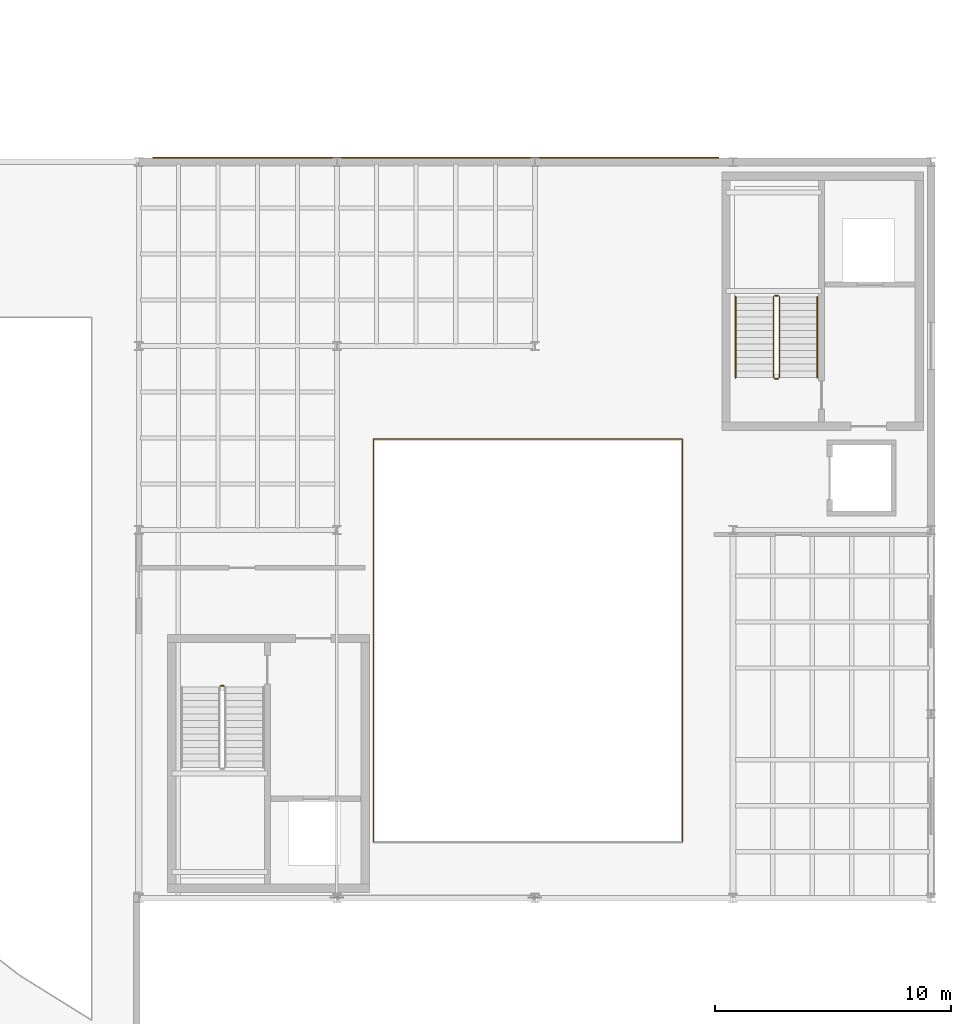
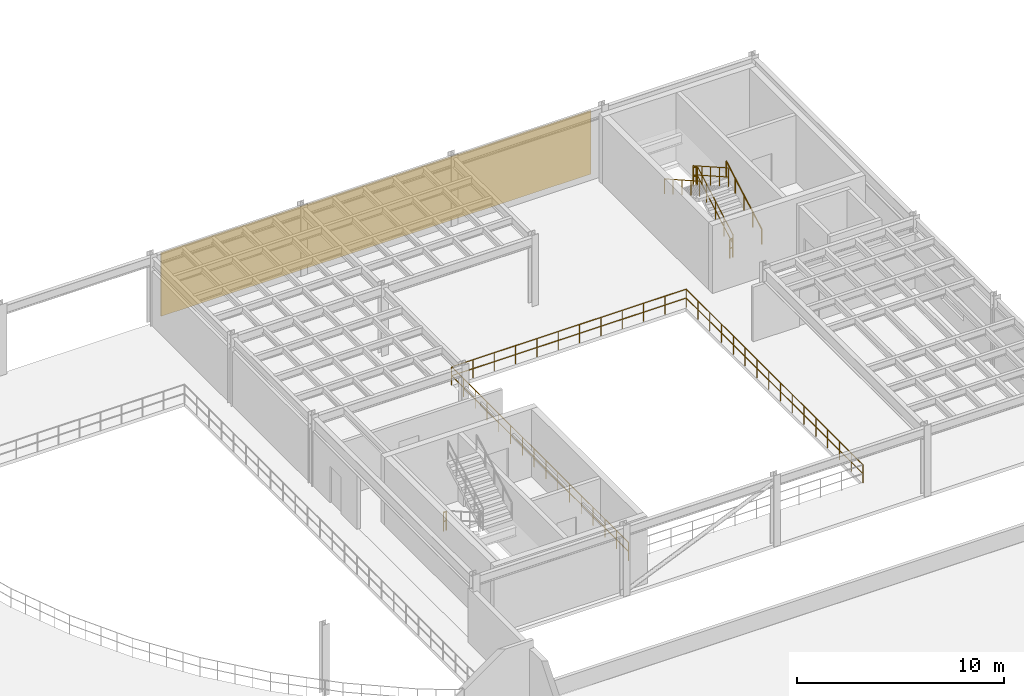
# One storey, part 51 of 54: 10 railings, 1 covering.
"""IFC4 building model written with IfcOpenShell, lengths in metres."""

from ifc_helpers import new_model, si_unit, direction, frame, origin, origin_2d, place, context, subcontext, project, spatial, polyline, circle, outline, extrude, material, layer, layer_set, type_object, element, save


model = new_model("IFC4")

# Units and contexts
model_context = context("Model", 3, precision=1e-05, world=origin(), true_north=direction((0.0, 1.0)))
body_context = subcontext(model_context, "Body", "Model", "MODEL_VIEW")
ifc_project = project(units=[si_unit("LENGTHUNIT", "METRE"), si_unit("AREAUNIT", "SQUARE_METRE"), si_unit("VOLUMEUNIT", "CUBIC_METRE"), si_unit("PLANEANGLEUNIT", "RADIAN"), si_unit("MASSUNIT", "GRAM", prefix="KILO")], contexts=[model_context])

# Site, building, storey
site_placement = place(None, origin())
site = spatial("IfcSite", under=ifc_project, at=site_placement, CompositionType="ELEMENT")
building_placement = place(site_placement, origin())
building = spatial("IfcBuilding", under=site, at=building_placement, Name="Selat Folded Stagehouse", CompositionType="ELEMENT")
storey_placement = place(building_placement, frame((0.0, 0.0, 15.0)))
storey = spatial("IfcBuildingStorey", under=building, at=storey_placement, Name="L03", CompositionType="ELEMENT", Elevation=15.0)

# Covering
ifc_material_1 = material(Name="Perforated bronze-anodised aluminium rainscreen", Category="aluminium")
ifc_layer_1 = layer(ifc_material_1, 0.044921875)
ifc_layer_set_1 = layer_set([ifc_layer_1], Name="Perforated bronze-anodised aluminium rainscreen")
covering_type = type_object("IfcCoveringType", Name="COV-CLAD-45B", PredefinedType="CLADDING", material=ifc_layer_set_1)
covering_placement = place(storey_placement, frame((0.0, 0.0, 0.10009765625)))
element("IfcCovering", 1, at=covering_placement, inside=storey, type_object=covering_type, Name="L03 fly-tower bronze rainscreen cladding 03", PredefinedType="CLADDING", context=body_context, shape_type="SweptSolid", body=[
    extrude(outline(polyline([(34.199951171875, 54.762451171875), (58.199951171875, 54.762451171875), (58.199951171875, 54.8076171875), (34.199951171875, 54.8076171875), (34.199951171875, 54.762451171875)])), origin(), (0.0, 0.0, 1.0), 3.75),
])

# Railings
ifc_material_2 = material(Name="Bronze-anodised steel balustrade", Category="steel")
ifc_layer_2 = layer(ifc_material_2, 0.06494140625)
ifc_layer_set_2 = layer_set([ifc_layer_2], Name="Bronze-anodised steel balustrade")
railing_type_1 = type_object("IfcRailingType", Name="RLG-BAL-1120", PredefinedType="BALUSTRADE", material=ifc_layer_set_2)
railing_1_placement = place(storey_placement, frame((37.06005859375, 32.389892578125, 0.0)))
element("IfcRailing", 2, at=railing_1_placement, inside=storey, type_object=railing_type_1, Name="L03 ST-01 stair well guard 4", PredefinedType="BALUSTRADE", context=body_context, shape_type="SweptSolid", body=[
    extrude(circle(Radius=0.02392578125, at=origin_2d()), frame((0.0, 0.0, 1.09619140625), z_axis=(1.0, 0.0, 0.0), x_axis=(0.0, 1.0, 0.0)), (0.0, 0.0, 1.0), 0.159912109375),
    extrude(circle(Radius=0.02392578125, at=origin_2d()), frame((0.0, 0.0, 0.56005859375), z_axis=(1.0, 0.0, 0.0), x_axis=(0.0, 1.0, 0.0)), (0.0, 0.0, 1.0), 0.159912109375),
    extrude(circle(Radius=0.02099609375, at=origin_2d()), origin(), (0.0, 0.0, 1.0), 1.072021484375),
    extrude(circle(Radius=0.02099609375, at=origin_2d()), frame((0.159912109375, 0.0, 0.0)), (0.0, 0.0, 1.0), 1.072021484375),
])
railing_2_placement = place(storey_placement, frame((60.77001953125, 45.4599609375, 0.16162109375)))
element("IfcRailing", 3, at=railing_2_placement, inside=storey, type_object=railing_type_1, Name="L03 ST-02 stair well guard 1", PredefinedType="BALUSTRADE", context=body_context, shape_type="SweptSolid", body=[
    extrude(circle(Radius=0.02392578125, at=origin_2d()), frame((0.0, 0.0, 1.09619140625), z_axis=(0.0, 0.869965350696, 0.493112855834), x_axis=(-1.0, 0.0, 0.0)), (0.0, 0.0, 1.0), 3.93115234375),
    extrude(circle(Radius=0.02392578125, at=origin_2d()), frame((0.0, 0.0, 0.56005859375), z_axis=(0.0, 0.869965350696, 0.493112855834), x_axis=(-1.0, 0.0, 0.0)), (0.0, 0.0, 1.0), 3.93115234375),
    extrude(circle(Radius=0.02099609375, at=origin_2d()), origin(), (0.0, 0.0, 1.0), 1.072021484375),
    extrude(circle(Radius=0.02099609375, at=origin_2d()), frame((0.0, 0.85498046875, 0.484619140625)), (0.0, 0.0, 1.0), 1.072021484375),
    extrude(circle(Radius=0.02099609375, at=origin_2d()), frame((0.0, 1.7099609375, 0.96923828125)), (0.0, 0.0, 1.0), 1.072021484375),
    extrude(circle(Radius=0.02099609375, at=origin_2d()), frame((0.0, 2.56494140625, 1.453857421875)), (0.0, 0.0, 1.0), 1.072021484375),
    extrude(circle(Radius=0.02099609375, at=origin_2d()), frame((0.0, 3.419921875, 1.9384765625)), (0.0, 0.0, 1.0), 1.072021484375),
])
railing_3_placement = place(storey_placement, frame((60.719970703125, 48.929931640625, 2.10009765625)))
element("IfcRailing", 4, at=railing_3_placement, inside=storey, type_object=railing_type_1, Name="L03 ST-02 stair well guard 2", PredefinedType="BALUSTRADE", context=body_context, shape_type="SweptSolid", body=[
    extrude(circle(Radius=0.02392578125, at=origin_2d()), frame((0.0, 0.0, 1.09619140625), z_axis=(-1.0, 0.0, 0.0), x_axis=(0.0, -1.0, 0.0)), (0.0, 0.0, 1.0), 0.159912109375),
    extrude(circle(Radius=0.02392578125, at=origin_2d()), frame((0.0, 0.0, 0.56005859375), z_axis=(-1.0, 0.0, 0.0), x_axis=(0.0, -1.0, 0.0)), (0.0, 0.0, 1.0), 0.159912109375),
    extrude(circle(Radius=0.02099609375, at=origin_2d()), origin(), (0.0, 0.0, 1.0), 1.072021484375),
    extrude(circle(Radius=0.02099609375, at=origin_2d()), frame((-0.159912109375, 0.0, 0.0)), (0.0, 0.0, 1.0), 1.072021484375),
])
railing_4_placement = place(storey_placement, frame((60.510009765625, 48.8798828125, 2.261474609375)))
element("IfcRailing", 5, at=railing_4_placement, inside=storey, type_object=railing_type_1, Name="L03 ST-02 stair well guard 3", PredefinedType="BALUSTRADE", context=body_context, shape_type="SweptSolid", body=[
    extrude(circle(Radius=0.02392578125, at=origin_2d()), frame((0.0, 0.0, 1.09619140625), z_axis=(0.0, -0.869965350696, 0.493112855834), x_axis=(1.0, 0.0, 0.0)), (0.0, 0.0, 1.0), 3.93115234375),
    extrude(circle(Radius=0.02392578125, at=origin_2d()), frame((0.0, 0.0, 0.56005859375), z_axis=(0.0, -0.869965350696, 0.493112855834), x_axis=(1.0, 0.0, 0.0)), (0.0, 0.0, 1.0), 3.93115234375),
    extrude(circle(Radius=0.02099609375, at=origin_2d()), origin(), (0.0, 0.0, 1.0), 1.072021484375),
    extrude(circle(Radius=0.02099609375, at=origin_2d()), frame((0.0, -0.85498046875, 0.484619140625)), (0.0, 0.0, 1.0), 1.072021484375),
    extrude(circle(Radius=0.02099609375, at=origin_2d()), frame((0.0, -1.7099609375, 0.96923828125)), (0.0, 0.0, 1.0), 1.072021484375),
    extrude(circle(Radius=0.02099609375, at=origin_2d()), frame((0.0, -2.56494140625, 1.453857421875)), (0.0, 0.0, 1.0), 1.072021484375),
    extrude(circle(Radius=0.02099609375, at=origin_2d()), frame((0.0, -3.419921875, 1.9384765625)), (0.0, 0.0, 1.0), 1.072021484375),
])
railing_5_placement = place(storey_placement, frame((60.719970703125, 45.409912109375, 0.0)))
element("IfcRailing", 6, at=railing_5_placement, inside=storey, type_object=railing_type_1, Name="L03 ST-02 stair well guard 4", PredefinedType="BALUSTRADE", context=body_context, shape_type="SweptSolid", body=[
    extrude(circle(Radius=0.02392578125, at=origin_2d()), frame((0.0, 0.0, 1.09619140625), z_axis=(-1.0, 0.0, 0.0), x_axis=(0.0, -1.0, 0.0)), (0.0, 0.0, 1.0), 0.159912109375),
    extrude(circle(Radius=0.02392578125, at=origin_2d()), frame((0.0, 0.0, 0.56005859375), z_axis=(-1.0, 0.0, 0.0), x_axis=(0.0, -1.0, 0.0)), (0.0, 0.0, 1.0), 0.159912109375),
    extrude(circle(Radius=0.02099609375, at=origin_2d()), origin(), (0.0, 0.0, 1.0), 1.072021484375),
    extrude(circle(Radius=0.02099609375, at=origin_2d()), frame((-0.159912109375, 0.0, 0.0)), (0.0, 0.0, 1.0), 1.072021484375),
])
ifc_material_3 = material(Name="Stainless steel and laminated glass", Category="steel")
ifc_layer_3 = layer(ifc_material_3, 0.06005859375)
ifc_layer_set_3 = layer_set([ifc_layer_3], Name="Stainless steel and laminated glass")
railing_type_2 = type_object("IfcRailingType", Name="RLG-GUARD-1100", PredefinedType="GUARDRAIL", material=ifc_layer_set_3)
railing_6_placement = place(storey_placement, frame((56.64990234375, 25.75, 0.0)))
element("IfcRailing", 7, at=railing_6_placement, inside=storey, type_object=railing_type_2, Name="L03 protective guard railing 063", PredefinedType="GUARDRAIL", context=body_context, shape_type="SweptSolid", body=[
    extrude(circle(Radius=0.02392578125, at=origin_2d()), frame((0.0, 0.0, 1.076171875), z_axis=(0.0, 1.0, 0.0), x_axis=(-1.0, 0.0, 0.0)), (0.0, 0.0, 1.0), 17.10009765625),
    extrude(circle(Radius=0.02392578125, at=origin_2d()), frame((0.0, 0.0, 0.550048828125), z_axis=(0.0, 1.0, 0.0), x_axis=(-1.0, 0.0, 0.0)), (0.0, 0.0, 1.0), 17.10009765625),
    extrude(circle(Radius=0.02099609375, at=origin_2d()), origin(), (0.0, 0.0, 1.0), 1.052001953125),
    extrude(circle(Radius=0.02099609375, at=origin_2d()), frame((0.0, 1.139892578125, 0.0)), (0.0, 0.0, 1.0), 1.052001953125),
    extrude(circle(Radius=0.02099609375, at=origin_2d()), frame((0.0, 2.280029296875, 0.0)), (0.0, 0.0, 1.0), 1.052001953125),
    extrude(circle(Radius=0.02099609375, at=origin_2d()), frame((0.0, 3.419921875, 0.0)), (0.0, 0.0, 1.0), 1.052001953125),
    extrude(circle(Radius=0.02099609375, at=origin_2d()), frame((0.0, 4.56005859375, 0.0)), (0.0, 0.0, 1.0), 1.052001953125),
    extrude(circle(Radius=0.02099609375, at=origin_2d()), frame((0.0, 5.699951171875, 0.0)), (0.0, 0.0, 1.0), 1.052001953125),
    extrude(circle(Radius=0.02099609375, at=origin_2d()), frame((0.0, 6.840087890625, 0.0)), (0.0, 0.0, 1.0), 1.052001953125),
    extrude(circle(Radius=0.02099609375, at=origin_2d()), frame((0.0, 7.97998046875, 0.0)), (0.0, 0.0, 1.0), 1.052001953125),
    extrude(circle(Radius=0.02099609375, at=origin_2d()), frame((0.0, 9.1201171875, 0.0)), (0.0, 0.0, 1.0), 1.052001953125),
    extrude(circle(Radius=0.02099609375, at=origin_2d()), frame((0.0, 10.260009765625, 0.0)), (0.0, 0.0, 1.0), 1.052001953125),
    extrude(circle(Radius=0.02099609375, at=origin_2d()), frame((0.0, 11.400146484375, 0.0)), (0.0, 0.0, 1.0), 1.052001953125),
    extrude(circle(Radius=0.02099609375, at=origin_2d()), frame((0.0, 12.5400390625, 0.0)), (0.0, 0.0, 1.0), 1.052001953125),
    extrude(circle(Radius=0.02099609375, at=origin_2d()), frame((0.0, 13.68017578125, 0.0)), (0.0, 0.0, 1.0), 1.052001953125),
    extrude(circle(Radius=0.02099609375, at=origin_2d()), frame((0.0, 14.820068359375, 0.0)), (0.0, 0.0, 1.0), 1.052001953125),
    extrude(circle(Radius=0.02099609375, at=origin_2d()), frame((0.0, 15.960205078125, 0.0)), (0.0, 0.0, 1.0), 1.052001953125),
    extrude(circle(Radius=0.02099609375, at=origin_2d()), frame((0.0, 17.10009765625, 0.0)), (0.0, 0.0, 1.0), 1.052001953125),
])
railing_7_placement = place(storey_placement, frame((56.64990234375, 42.85009765625, 0.0)))
element("IfcRailing", 8, at=railing_7_placement, inside=storey, type_object=railing_type_2, Name="L03 protective guard railing 064", PredefinedType="GUARDRAIL", context=body_context, shape_type="SweptSolid", body=[
    extrude(circle(Radius=0.02392578125, at=origin_2d()), frame((0.0, 0.0, 1.076171875), z_axis=(-1.0, 0.0, 0.0), x_axis=(0.0, -1.0, 0.0)), (0.0, 0.0, 1.0), 13.099853515625),
    extrude(circle(Radius=0.02392578125, at=origin_2d()), frame((0.0, 0.0, 0.550048828125), z_axis=(-1.0, 0.0, 0.0), x_axis=(0.0, -1.0, 0.0)), (0.0, 0.0, 1.0), 13.099853515625),
    extrude(circle(Radius=0.02099609375, at=origin_2d()), origin(), (0.0, 0.0, 1.0), 1.052001953125),
    extrude(circle(Radius=0.02099609375, at=origin_2d()), frame((-1.19091796875, 0.0, 0.0)), (0.0, 0.0, 1.0), 1.052001953125),
    extrude(circle(Radius=0.02099609375, at=origin_2d()), frame((-2.3818359375, 0.0, 0.0)), (0.0, 0.0, 1.0), 1.052001953125),
    extrude(circle(Radius=0.02099609375, at=origin_2d()), frame((-3.57275390625, 0.0, 0.0)), (0.0, 0.0, 1.0), 1.052001953125),
    extrude(circle(Radius=0.02099609375, at=origin_2d()), frame((-4.763671875, 0.0, 0.0)), (0.0, 0.0, 1.0), 1.052001953125),
    extrude(circle(Radius=0.02099609375, at=origin_2d()), frame((-5.95458984375, 0.0, 0.0)), (0.0, 0.0, 1.0), 1.052001953125),
    extrude(circle(Radius=0.02099609375, at=origin_2d()), frame((-7.145263671875, 0.0, 0.0)), (0.0, 0.0, 1.0), 1.052001953125),
    extrude(circle(Radius=0.02099609375, at=origin_2d()), frame((-8.336181640625, 0.0, 0.0)), (0.0, 0.0, 1.0), 1.052001953125),
    extrude(circle(Radius=0.02099609375, at=origin_2d()), frame((-9.527099609375, 0.0, 0.0)), (0.0, 0.0, 1.0), 1.052001953125),
    extrude(circle(Radius=0.02099609375, at=origin_2d()), frame((-10.718017578125, 0.0, 0.0)), (0.0, 0.0, 1.0), 1.052001953125),
    extrude(circle(Radius=0.02099609375, at=origin_2d()), frame((-11.908935546875, 0.0, 0.0)), (0.0, 0.0, 1.0), 1.052001953125),
    extrude(circle(Radius=0.02099609375, at=origin_2d()), frame((-13.099853515625, 0.0, 0.0)), (0.0, 0.0, 1.0), 1.052001953125),
])
railing_8_placement = place(storey_placement, frame((43.550048828125, 42.85009765625, 0.0)))
element("IfcRailing", 9, at=railing_8_placement, inside=storey, type_object=railing_type_2, Name="L03 protective guard railing 065", PredefinedType="GUARDRAIL", context=body_context, shape_type="SweptSolid", body=[
    extrude(circle(Radius=0.02392578125, at=origin_2d()), frame((0.0, 0.0, 1.076171875), z_axis=(0.0, -1.0, 0.0), x_axis=(1.0, 0.0, 0.0)), (0.0, 0.0, 1.0), 17.10009765625),
    extrude(circle(Radius=0.02392578125, at=origin_2d()), frame((0.0, 0.0, 0.550048828125), z_axis=(0.0, -1.0, 0.0), x_axis=(1.0, 0.0, 0.0)), (0.0, 0.0, 1.0), 17.10009765625),
    extrude(circle(Radius=0.02099609375, at=origin_2d()), origin(), (0.0, 0.0, 1.0), 1.052001953125),
    extrude(circle(Radius=0.02099609375, at=origin_2d()), frame((0.0, -1.139892578125, 0.0)), (0.0, 0.0, 1.0), 1.052001953125),
    extrude(circle(Radius=0.02099609375, at=origin_2d()), frame((0.0, -2.280029296875, 0.0)), (0.0, 0.0, 1.0), 1.052001953125),
    extrude(circle(Radius=0.02099609375, at=origin_2d()), frame((0.0, -3.419921875, 0.0)), (0.0, 0.0, 1.0), 1.052001953125),
    extrude(circle(Radius=0.02099609375, at=origin_2d()), frame((0.0, -4.56005859375, 0.0)), (0.0, 0.0, 1.0), 1.052001953125),
    extrude(circle(Radius=0.02099609375, at=origin_2d()), frame((0.0, -5.699951171875, 0.0)), (0.0, 0.0, 1.0), 1.052001953125),
    extrude(circle(Radius=0.02099609375, at=origin_2d()), frame((0.0, -6.840087890625, 0.0)), (0.0, 0.0, 1.0), 1.052001953125),
    extrude(circle(Radius=0.02099609375, at=origin_2d()), frame((0.0, -7.97998046875, 0.0)), (0.0, 0.0, 1.0), 1.052001953125),
    extrude(circle(Radius=0.02099609375, at=origin_2d()), frame((0.0, -9.1201171875, 0.0)), (0.0, 0.0, 1.0), 1.052001953125),
    extrude(circle(Radius=0.02099609375, at=origin_2d()), frame((0.0, -10.260009765625, 0.0)), (0.0, 0.0, 1.0), 1.052001953125),
    extrude(circle(Radius=0.02099609375, at=origin_2d()), frame((0.0, -11.400146484375, 0.0)), (0.0, 0.0, 1.0), 1.052001953125),
    extrude(circle(Radius=0.02099609375, at=origin_2d()), frame((0.0, -12.5400390625, 0.0)), (0.0, 0.0, 1.0), 1.052001953125),
    extrude(circle(Radius=0.02099609375, at=origin_2d()), frame((0.0, -13.68017578125, 0.0)), (0.0, 0.0, 1.0), 1.052001953125),
    extrude(circle(Radius=0.02099609375, at=origin_2d()), frame((0.0, -14.820068359375, 0.0)), (0.0, 0.0, 1.0), 1.052001953125),
    extrude(circle(Radius=0.02099609375, at=origin_2d()), frame((0.0, -15.960205078125, 0.0)), (0.0, 0.0, 1.0), 1.052001953125),
    extrude(circle(Radius=0.02099609375, at=origin_2d()), frame((0.0, -17.10009765625, 0.0)), (0.0, 0.0, 1.0), 1.052001953125),
])
ifc_material_4 = material(Name="Brushed stainless steel 1.4301", Category="steel")
ifc_layer_4 = layer(ifc_material_4, 0.048095703125)
ifc_layer_set_4 = layer_set([ifc_layer_4], Name="Brushed stainless steel 1.4301")
railing_type_3 = type_object("IfcRailingType", Name="RLG-HANDRAIL-900", PredefinedType="HANDRAIL", material=ifc_layer_set_4)
railing_9_placement = place(storey_placement, frame((62.3701171875, 45.4599609375, 0.16162109375)))
element("IfcRailing", 10, at=railing_9_placement, inside=storey, type_object=railing_type_3, Name="L03 ST-02 wall handrail 1", PredefinedType="HANDRAIL", context=body_context, shape_type="SweptSolid", body=[
    extrude(circle(Radius=0.02392578125, at=origin_2d()), frame((0.0, 0.0, 0.8759765625), z_axis=(0.0, 0.869965350696, 0.493112855834), x_axis=(-1.0, 0.0, 0.0)), (0.0, 0.0, 1.0), 3.93115234375),
    extrude(circle(Radius=0.02099609375, at=origin_2d()), origin(), (0.0, 0.0, 1.0), 0.851806640625),
    extrude(circle(Radius=0.02099609375, at=origin_2d()), frame((0.0, 0.85498046875, 0.484619140625)), (0.0, 0.0, 1.0), 0.851806640625),
    extrude(circle(Radius=0.02099609375, at=origin_2d()), frame((0.0, 1.7099609375, 0.96923828125)), (0.0, 0.0, 1.0), 0.851806640625),
    extrude(circle(Radius=0.02099609375, at=origin_2d()), frame((0.0, 2.56494140625, 1.453857421875)), (0.0, 0.0, 1.0), 0.851806640625),
    extrude(circle(Radius=0.02099609375, at=origin_2d()), frame((0.0, 3.419921875, 1.9384765625)), (0.0, 0.0, 1.0), 0.851806640625),
])
railing_10_placement = place(storey_placement, frame((58.909912109375, 48.8798828125, 2.261474609375)))
element("IfcRailing", 11, at=railing_10_placement, inside=storey, type_object=railing_type_3, Name="L03 ST-02 wall handrail 2", PredefinedType="HANDRAIL", context=body_context, shape_type="SweptSolid", body=[
    extrude(circle(Radius=0.02392578125, at=origin_2d()), frame((0.0, 0.0, 0.8759765625), z_axis=(0.0, -0.869965350696, 0.493112855834), x_axis=(1.0, 0.0, 0.0)), (0.0, 0.0, 1.0), 3.93115234375),
    extrude(circle(Radius=0.02099609375, at=origin_2d()), origin(), (0.0, 0.0, 1.0), 0.851806640625),
    extrude(circle(Radius=0.02099609375, at=origin_2d()), frame((0.0, -0.85498046875, 0.484619140625)), (0.0, 0.0, 1.0), 0.851806640625),
    extrude(circle(Radius=0.02099609375, at=origin_2d()), frame((0.0, -1.7099609375, 0.96923828125)), (0.0, 0.0, 1.0), 0.851806640625),
    extrude(circle(Radius=0.02099609375, at=origin_2d()), frame((0.0, -2.56494140625, 1.453857421875)), (0.0, 0.0, 1.0), 0.851806640625),
    extrude(circle(Radius=0.02099609375, at=origin_2d()), frame((0.0, -3.419921875, 1.9384765625)), (0.0, 0.0, 1.0), 0.851806640625),
])

save(model, "model.ifc")
